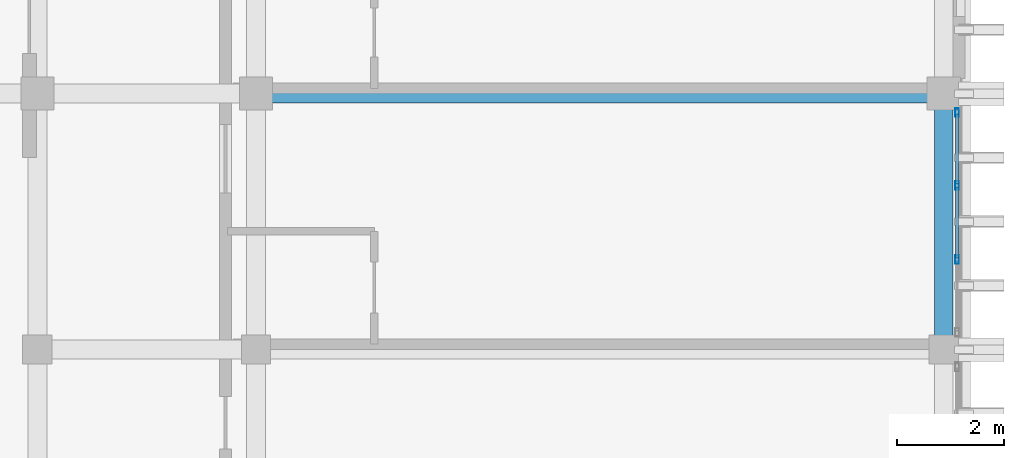
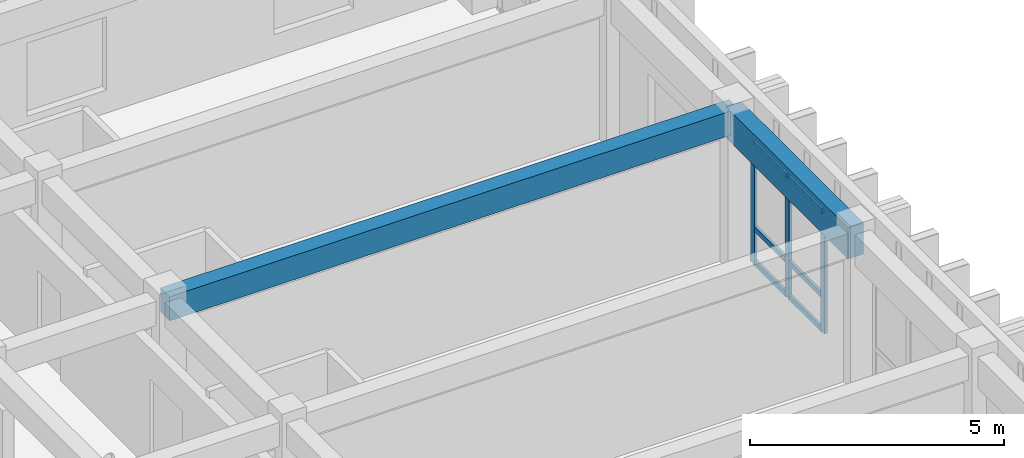
# One storey, part 33 of 50: 9 members, 2 beams, 1 element without a shape of its own.
"""IFC4 building model written with IfcOpenShell, lengths in metres."""

from ifc_helpers import new_model, si_unit, direction, frame, origin, origin_2d, place, context, subcontext, project, spatial, rectangle, hollow_rectangle, extrude, material, layer, layer_set, material_profile, profile_set, type_object, element, aggregate, save


model = new_model("IFC4")

# Units and contexts
model_context = context("Model", 3, precision=1e-05, world=origin(), true_north=direction((0.0, 1.0)))
body_context = subcontext(model_context, "Body", "Model", "MODEL_VIEW")
ifc_project = project(units=[si_unit("LENGTHUNIT", "METRE"), si_unit("AREAUNIT", "SQUARE_METRE"), si_unit("VOLUMEUNIT", "CUBIC_METRE"), si_unit("PLANEANGLEUNIT", "RADIAN"), si_unit("MASSUNIT", "GRAM", prefix="KILO")], contexts=[model_context])

# Site, building, storey
site_placement = place(None, origin())
site = spatial("IfcSite", under=ifc_project, at=site_placement, CompositionType="ELEMENT")
building_placement = place(site_placement, origin())
building = spatial("IfcBuilding", under=site, at=building_placement, Name="Nakhvara Creek Congress Hotel", CompositionType="ELEMENT")
storey_placement = place(building_placement, frame((0.0, 0.0, 42.60009765625)))
storey = spatial("IfcBuildingStorey", under=building, at=storey_placement, Name="L10", CompositionType="ELEMENT", Elevation=42.60009765625)

# Beams
ifc_material_1 = material(Name="Concrete C40/50", Category="concrete")
ifc_material_profile_1 = material_profile(ifc_material_1, rectangle(XDim=0.360107421875, YDim=0.580078125, at=origin_2d()), Name="RC-BM 360x580", Category="LoadBearing")
ifc_profile_set_1 = profile_set([ifc_material_profile_1], Name="Concrete C40/50")
beam_type_1 = type_object("IfcBeamType", Name="BM-RC-360X580", PredefinedType="BEAM", material=ifc_profile_set_1)
beam_1_placement = place(storey_placement, frame((166.449951171875, 115.199951171875, 3.369873046875), z_axis=(1.0, 0.0, 0.0), x_axis=(0.0, 1.0, 0.0)))
element("IfcBeam", 1, at=beam_1_placement, inside=storey, type_object=beam_type_1, Name="Beam B09-L10-2683", PredefinedType="BEAM", context=body_context, shape_type="SweptSolid", body=[
    extrude(rectangle(XDim=0.360107421875, YDim=0.580078125, at=origin_2d()), origin(), (0.0, 0.0, 1.0), 12.900146484375),
])
ifc_material_profile_2 = material_profile(ifc_material_1, rectangle(XDim=0.35009765625, YDim=0.75, at=origin_2d()), Name="RC-SPANDREL 350x750", Category="LoadBearing")
ifc_profile_set_2 = profile_set([ifc_material_profile_2], Name="Concrete C40/50")
beam_type_2 = type_object("IfcBeamType", Name="BM-SPN-350X750", PredefinedType="SPANDREL", material=ifc_profile_set_2)
beam_2_placement = place(storey_placement, frame((179.35009765625, 110.39990234375, 3.284912109375), z_axis=(0.0, 1.0, 0.0), x_axis=(-1.0, 0.0, 0.0)))
element("IfcBeam", 2, at=beam_2_placement, inside=storey, type_object=beam_type_2, Name="Beam SP1-L10-2698", PredefinedType="SPANDREL", context=body_context, shape_type="SweptSolid", body=[
    extrude(rectangle(XDim=0.35009765625, YDim=0.75, at=origin_2d()), origin(), (0.0, 0.0, 1.0), 4.800048828125),
])

# Curtain wall, members
ifc_material_2 = material(Name="Bronze-anodised aluminium AW-6063-T6 and double-silver low-E glass", Category="aluminium")
ifc_layer = layer(ifc_material_2, 0.199951171875)
ifc_layer_set = layer_set([ifc_layer], Name="Bronze-anodised aluminium AW-6063-T6 and double-silver low-E glass")
curtain_wall_type = type_object("IfcCurtainWallType", Name="CW-HTL-UNIT", PredefinedType="USERDEFINED", material=ifc_layer_set)
curtain_wall_placement = place(storey_placement, origin())
curtain_wall = element("IfcCurtainWall", 3, at=curtain_wall_placement, inside=storey, type_object=curtain_wall_type, Name="Curtain Wall CW328", ObjectType="UNITISED", PredefinedType="USERDEFINED")
ifc_material_3 = material(Name="Bronze-anodised aluminium AW-6063-T6", Category="aluminium")
ifc_material_profile_3 = material_profile(ifc_material_3, hollow_rectangle(XDim=0.06494140625, YDim=0.159912109375, WallThickness=0.00390625, at=origin_2d()), Name="ALU-MULL 65x160x4", Category="LoadBearing")
ifc_profile_set_3 = profile_set([ifc_material_profile_3], Name="Bronze-anodised aluminium AW-6063-T6")
member_type_1 = type_object("IfcMemberType", Name="CW-MULL-160", PredefinedType="MULLION", material=ifc_profile_set_3)
member_1_placement = place(storey_placement, frame((179.60009765625, 114.842529296875, 0.0), z_axis=(0.0, 0.0, 1.0), x_axis=(1.0, 0.0, 0.0)))
member_1 = element("IfcMember", 4, at=member_1_placement, type_object=member_type_1, Name="CW328 mullion 1", PredefinedType="MULLION", context=body_context, shape_type="SweptSolid", body=[
    extrude(hollow_rectangle(XDim=0.06494140625, YDim=0.159912109375, WallThickness=0.00390625, at=origin_2d()), origin(), (0.0, 0.0, 1.0), 2.90185546875),
])
member_2_placement = place(storey_placement, frame((179.60009765625, 113.47998046875, 0.0), z_axis=(0.0, 0.0, 1.0), x_axis=(1.0, 0.0, 0.0)))
member_2 = element("IfcMember", 5, at=member_2_placement, type_object=member_type_1, Name="CW328 mullion 2", PredefinedType="MULLION", context=body_context, shape_type="SweptSolid", body=[
    extrude(hollow_rectangle(XDim=0.06494140625, YDim=0.159912109375, WallThickness=0.00390625, at=origin_2d()), origin(), (0.0, 0.0, 1.0), 2.90185546875),
])
member_3_placement = place(storey_placement, frame((179.60009765625, 112.0849609375, 0.0), z_axis=(0.0, 0.0, 1.0), x_axis=(1.0, 0.0, 0.0)))
member_3 = element("IfcMember", 6, at=member_3_placement, type_object=member_type_1, Name="CW328 mullion 3", PredefinedType="MULLION", context=body_context, shape_type="SweptSolid", body=[
    extrude(hollow_rectangle(XDim=0.06494140625, YDim=0.159912109375, WallThickness=0.00390625, at=origin_2d()), origin(), (0.0, 0.0, 1.0), 2.90185546875),
])
ifc_material_profile_4 = material_profile(ifc_material_3, hollow_rectangle(XDim=0.06494140625, YDim=0.1201171875, WallThickness=0.00390625, at=origin_2d()), Name="ALU-TRAN 65x120x4", Category="LoadBearing")
ifc_profile_set_4 = profile_set([ifc_material_profile_4], Name="Bronze-anodised aluminium AW-6063-T6")
member_type_2 = type_object("IfcMemberType", Name="CW-TRAN-120", PredefinedType="USERDEFINED", material=ifc_profile_set_4)
member_4_placement = place(storey_placement, frame((179.60009765625, 114.81005859375, 0.032470703125), z_axis=(0.0, -1.0, 0.0), x_axis=(1.0, 0.0, 0.0)))
member_4 = element("IfcMember", 7, at=member_4_placement, type_object=member_type_2, Name="CW328 transom 1.1", ObjectType="TRANSOM", PredefinedType="USERDEFINED", context=body_context, shape_type="SweptSolid", body=[
    extrude(hollow_rectangle(XDim=0.06494140625, YDim=0.1201171875, WallThickness=0.00390625, at=origin_2d()), origin(), (0.0, 0.0, 1.0), 1.297607421875),
])
member_5_placement = place(storey_placement, frame((179.60009765625, 114.81005859375, 0.849853515625), z_axis=(0.0, -1.0, 0.0), x_axis=(1.0, 0.0, 0.0)))
member_5 = element("IfcMember", 8, at=member_5_placement, type_object=member_type_2, Name="CW328 transom 1.2", ObjectType="TRANSOM", PredefinedType="USERDEFINED", context=body_context, shape_type="SweptSolid", body=[
    extrude(hollow_rectangle(XDim=0.06494140625, YDim=0.1201171875, WallThickness=0.00390625, at=origin_2d()), origin(), (0.0, 0.0, 1.0), 1.297607421875),
])
member_6_placement = place(storey_placement, frame((179.60009765625, 114.81005859375, 2.869384765625), z_axis=(0.0, -1.0, 0.0), x_axis=(1.0, 0.0, 0.0)))
member_6 = element("IfcMember", 9, at=member_6_placement, type_object=member_type_2, Name="CW328 transom 1.3", ObjectType="TRANSOM", PredefinedType="USERDEFINED", context=body_context, shape_type="SweptSolid", body=[
    extrude(hollow_rectangle(XDim=0.06494140625, YDim=0.1201171875, WallThickness=0.00390625, at=origin_2d()), origin(), (0.0, 0.0, 1.0), 1.297607421875),
])
member_7_placement = place(storey_placement, frame((179.60009765625, 113.447509765625, 0.032470703125), z_axis=(0.0, -1.0, 0.0), x_axis=(1.0, 0.0, 0.0)))
member_7 = element("IfcMember", 10, at=member_7_placement, type_object=member_type_2, Name="CW328 transom 2.1", ObjectType="TRANSOM", PredefinedType="USERDEFINED", context=body_context, shape_type="SweptSolid", body=[
    extrude(hollow_rectangle(XDim=0.06494140625, YDim=0.1201171875, WallThickness=0.00390625, at=origin_2d()), origin(), (0.0, 0.0, 1.0), 1.330078125),
])
member_8_placement = place(storey_placement, frame((179.60009765625, 113.447509765625, 0.849853515625), z_axis=(0.0, -1.0, 0.0), x_axis=(1.0, 0.0, 0.0)))
member_8 = element("IfcMember", 11, at=member_8_placement, type_object=member_type_2, Name="CW328 transom 2.2", ObjectType="TRANSOM", PredefinedType="USERDEFINED", context=body_context, shape_type="SweptSolid", body=[
    extrude(hollow_rectangle(XDim=0.06494140625, YDim=0.1201171875, WallThickness=0.00390625, at=origin_2d()), origin(), (0.0, 0.0, 1.0), 1.330078125),
])
member_9_placement = place(storey_placement, frame((179.60009765625, 113.447509765625, 2.869384765625), z_axis=(0.0, -1.0, 0.0), x_axis=(1.0, 0.0, 0.0)))
member_9 = element("IfcMember", 12, at=member_9_placement, type_object=member_type_2, Name="CW328 transom 2.3", ObjectType="TRANSOM", PredefinedType="USERDEFINED", context=body_context, shape_type="SweptSolid", body=[
    extrude(hollow_rectangle(XDim=0.06494140625, YDim=0.1201171875, WallThickness=0.00390625, at=origin_2d()), origin(), (0.0, 0.0, 1.0), 1.330078125),
])
aggregate(curtain_wall, [member_1, member_2, member_3, member_4, member_5, member_6, member_7, member_8, member_9])

save(model, "model.ifc")
